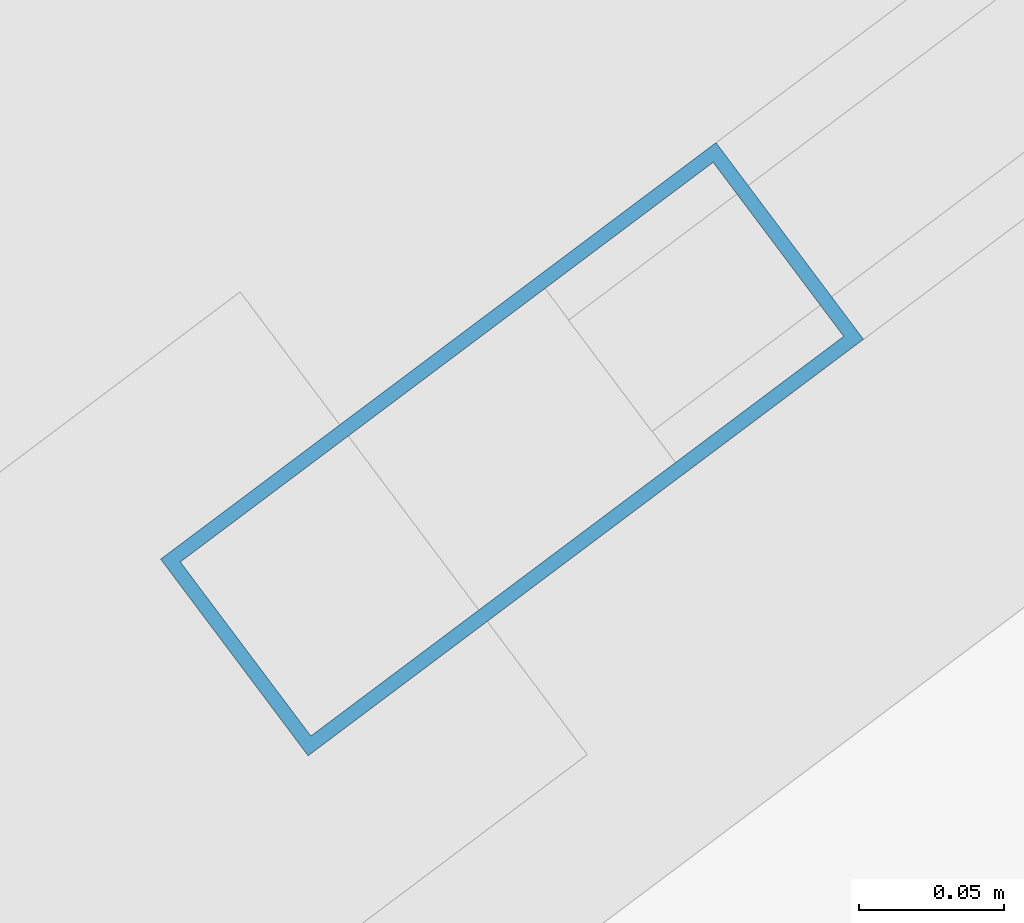
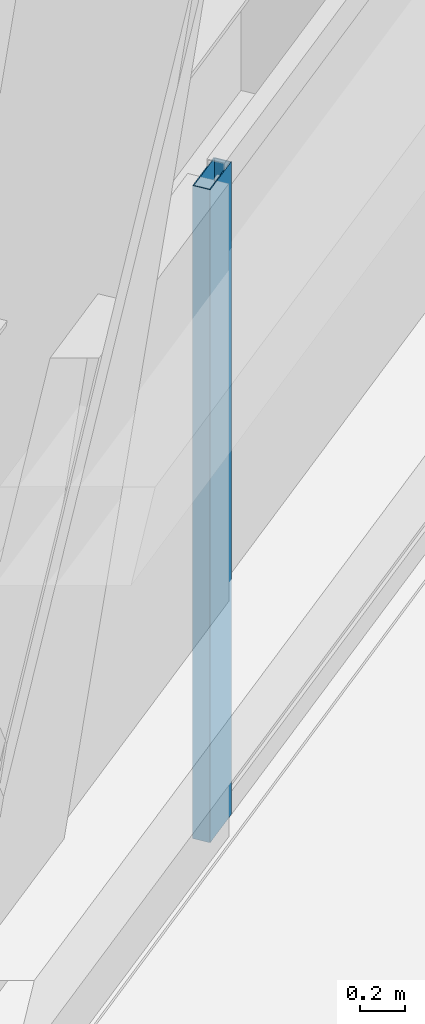
# One storey, part 58 of 83: 1 member, 1 element without a shape of its own.
"""IFC4 building model written with IfcOpenShell, lengths in metres."""

from ifc_helpers import new_model, si_unit, direction, frame, origin, origin_2d, place, context, subcontext, project, spatial, hollow_rectangle, extrude, material, material_profile, profile_set, type_object, element, aggregate, save


model = new_model("IFC4")

# Units and contexts
model_context = context("Model", 3, precision=1e-05, world=origin(), true_north=direction((0.0, 1.0)))
body_context = subcontext(model_context, "Body", "Model", "MODEL_VIEW")
ifc_project = project(units=[si_unit("LENGTHUNIT", "METRE"), si_unit("AREAUNIT", "SQUARE_METRE"), si_unit("VOLUMEUNIT", "CUBIC_METRE"), si_unit("PLANEANGLEUNIT", "RADIAN"), si_unit("MASSUNIT", "GRAM", prefix="KILO")], contexts=[model_context])

# Site, building, storey
site_placement = place(None, origin())
site = spatial("IfcSite", under=ifc_project, at=site_placement, CompositionType="ELEMENT")
building_placement = place(site_placement, origin())
building = spatial("IfcBuilding", under=site, at=building_placement, Name="Tashvorn Skyway Center", CompositionType="ELEMENT")
storey_placement = place(building_placement, frame((0.0, 0.0, 24.60009765625)))
storey = spatial("IfcBuildingStorey", under=building, at=storey_placement, Name="L05", CompositionType="ELEMENT", Elevation=24.60009765625)

# Curtain wall, member
ifc_material = material(Name="Thermally broken bronze-anodized aluminium 6063-T6", Category="aluminium")
curtain_wall_type = type_object("IfcCurtainWallType", Name="CW-CW-Z1", PredefinedType="NOTDEFINED", material=ifc_material)
curtain_wall_placement = place(storey_placement, origin())
curtain_wall = element("IfcCurtainWall", 1, at=curtain_wall_placement, inside=storey, type_object=curtain_wall_type, Name="Tower 2 L05 South Unitised Curtain Wall Glazing Group 2", PredefinedType="NOTDEFINED")
ifc_material_profile = material_profile(ifc_material, hollow_rectangle(XDim=0.0849609375, YDim=0.239990234375, WallThickness=0.0048828125, at=origin_2d()), Name="ALU-MULL-85x240")
ifc_profile_set = profile_set([ifc_material_profile], Name="Thermally broken bronze-anodized aluminium 6063-T6")
member_type = type_object("IfcMemberType", Name="CWM-CW-Z1", PredefinedType="MULLION", material=ifc_profile_set)
member_placement = place(storey_placement, frame((129.559326171875, 16.569580078125, 0.0), z_axis=(0.0, 0.0, 1.0), x_axis=(0.599997457641, -0.800001906763, 0.0)))
member = element("IfcMember", 2, at=member_placement, type_object=member_type, Name="CW-Z1 mullion 3", PredefinedType="MULLION", context=body_context, shape_type="SweptSolid", body=[
    extrude(hollow_rectangle(XDim=0.0849609375, YDim=0.239990234375, WallThickness=0.0048828125, at=origin_2d()), origin(), (0.0, 0.0, 1.0), 3.5498046875),
])
aggregate(curtain_wall, [member])

save(model, "model.ifc")
